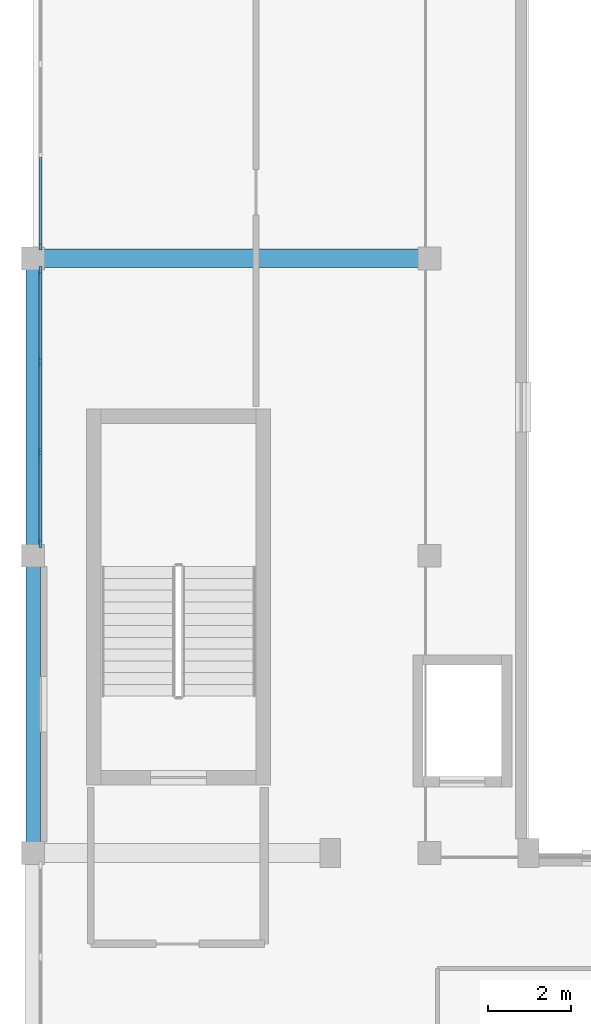
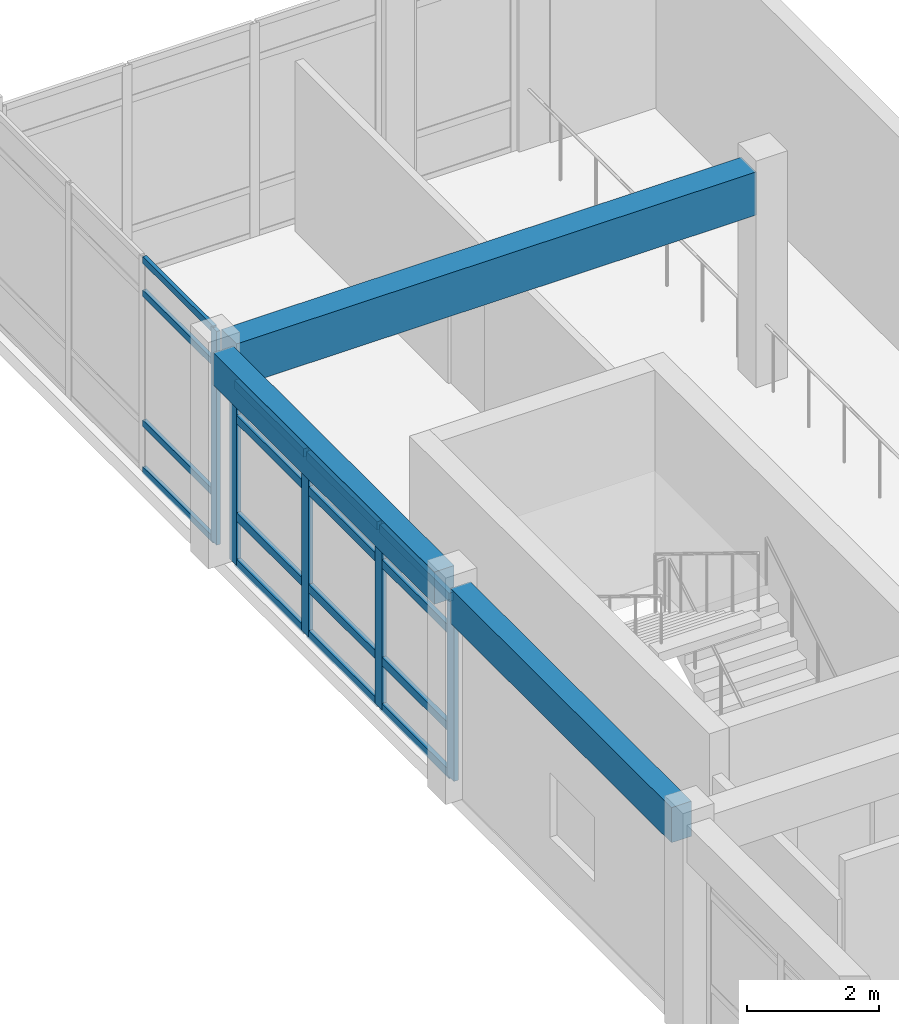
# One storey, part 8 of 47: 21 members, 3 beams, 2 elements without a shape of their own.
"""IFC4 building model written with IfcOpenShell, lengths in metres."""

from ifc_helpers import new_model, si_unit, direction, frame, origin, origin_2d, place, context, subcontext, project, spatial, rectangle, extrude, material, layer, layer_set, material_profile, profile_set, type_object, element, aggregate, save


model = new_model("IFC4")

# Units and contexts
model_context = context("Model", 3, precision=1e-05, world=origin(), true_north=direction((0.0, 1.0)))
body_context = subcontext(model_context, "Body", "Model", "MODEL_VIEW")
ifc_project = project(units=[si_unit("LENGTHUNIT", "METRE"), si_unit("AREAUNIT", "SQUARE_METRE"), si_unit("VOLUMEUNIT", "CUBIC_METRE"), si_unit("PLANEANGLEUNIT", "RADIAN"), si_unit("MASSUNIT", "GRAM", prefix="KILO")], contexts=[model_context])

# Site, building, storey
site_placement = place(None, origin())
site = spatial("IfcSite", under=ifc_project, at=site_placement, CompositionType="ELEMENT")
building_placement = place(site_placement, origin())
building = spatial("IfcBuilding", under=site, at=building_placement, Name="Brisavento Harbour Community Centre", CompositionType="ELEMENT")
storey_placement = place(building_placement, frame((0.0, 0.0, 8.699951171875)))
storey = spatial("IfcBuildingStorey", under=building, at=storey_placement, Name="L02", CompositionType="ELEMENT", Elevation=8.699951171875)

# Beams
ifc_material_1 = material(Name="Concrete C35/45", Category="concrete")
ifc_material_profile_1 = material_profile(ifc_material_1, rectangle(XDim=0.35009765625, YDim=0.60009765625, at=origin_2d()), Name="Concrete C35/45")
ifc_profile_set_1 = profile_set([ifc_material_profile_1], Name="Concrete C35/45")
beam_type_1 = type_object("IfcBeamType", Name="BM-RC-350x600", PredefinedType="BEAM", material=ifc_profile_set_1)
beam_1_placement = place(storey_placement, frame((0.0, 21.844970703125, 3.66015625), z_axis=(0.0, 1.0, 0.0), x_axis=(-1.0, 0.0, 0.0)))
element("IfcBeam", 1, at=beam_1_placement, inside=storey, type_object=beam_type_1, Name="L02 primary girder Y0594", PredefinedType="BEAM", context=body_context, shape_type="SweptSolid", body=[
    extrude(rectangle(XDim=0.35009765625, YDim=0.60009765625, at=origin_2d()), origin(), (0.0, 0.0, 1.0), 6.7099609375),
])
ifc_material_profile_2 = material_profile(ifc_material_1, rectangle(XDim=0.35009765625, YDim=0.64990234375, at=origin_2d()), Name="Concrete C35/45")
ifc_profile_set_2 = profile_set([ifc_material_profile_2], Name="Concrete C35/45")
beam_type_2 = type_object("IfcBeamType", Name="BM-RC-350x650", PredefinedType="BEAM", material=ifc_profile_set_2)
beam_2_placement = place(storey_placement, frame((0.0, 14.64501953125, 3.635009765625), z_axis=(0.0, 1.0, 0.0), x_axis=(-1.0, 0.0, 0.0)))
element("IfcBeam", 2, at=beam_2_placement, inside=storey, type_object=beam_type_2, Name="L02 primary girder Y0593", PredefinedType="BEAM", context=body_context, shape_type="SweptSolid", body=[
    extrude(rectangle(XDim=0.35009765625, YDim=0.64990234375, at=origin_2d()), origin(), (0.0, 0.0, 1.0), 6.7099609375),
])
ifc_material_profile_3 = material_profile(ifc_material_1, rectangle(XDim=0.449951171875, YDim=0.800048828125, at=origin_2d()), Name="Concrete C35/45")
ifc_profile_set_3 = profile_set([ifc_material_profile_3], Name="Concrete C35/45")
beam_type_3 = type_object("IfcBeamType", Name="BM-RC-450x800", PredefinedType="BEAM", material=ifc_profile_set_3)
beam_3_placement = place(storey_placement, frame((0.2451171875, 28.800048828125, 3.56005859375), z_axis=(1.0, 0.0, 0.0), x_axis=(0.0, 1.0, 0.0)))
element("IfcBeam", 3, at=beam_3_placement, inside=storey, type_object=beam_type_3, Name="L02 primary girder X0570", PredefinedType="BEAM", context=body_context, shape_type="SweptSolid", body=[
    extrude(rectangle(XDim=0.449951171875, YDim=0.800048828125, at=origin_2d()), origin(), (0.0, 0.0, 1.0), 9.10986328125),
])

# Curtain wall, member
ifc_material_2 = material(Name="Marine-anodised aluminium AW-6063-T6", Category="aluminium")
ifc_layer_1 = layer(ifc_material_2, 0.179931640625, Name="Marine-anodised aluminium AW-6063-T6")
ifc_layer_set_1 = layer_set([ifc_layer_1], Name="Marine-anodised aluminium AW-6063-T6")
curtain_wall_type_1 = type_object("IfcCurtainWallType", Name="CW-SYS-05", PredefinedType="USERDEFINED", material=ifc_layer_set_1)
curtain_wall_1_placement = place(storey_placement, origin())
curtain_wall_1 = element("IfcCurtainWall", 4, at=curtain_wall_1_placement, inside=storey, type_object=curtain_wall_type_1, Name="L02 V1 unitised curtain wall 117", ObjectType="UNITISED CURTAIN WALL", PredefinedType="USERDEFINED")
ifc_material_profile_4 = material_profile(ifc_material_2, rectangle(XDim=0.06494140625, YDim=0.1650390625, at=origin_2d()), Name="Marine-anodised aluminium AW-6063-T6")
ifc_profile_set_4 = profile_set([ifc_material_profile_4], Name="Marine-anodised aluminium AW-6063-T6")
member_type_1 = type_object("IfcMemberType", Name="CWM-01", PredefinedType="MULLION", material=ifc_profile_set_4)
member_1_placement = place(storey_placement, frame((0.179931640625, 29.092529296875, 0.0), z_axis=(0.0, 0.0, 1.0), x_axis=(-1.0, 0.0, 0.0)))
member_1 = element("IfcMember", 5, at=member_1_placement, type_object=member_type_1, Name="CW-05 mullion 1", PredefinedType="MULLION", context=body_context, shape_type="SweptSolid", body=[
    extrude(rectangle(XDim=0.06494140625, YDim=0.1650390625, at=origin_2d()), origin(), (0.0, 0.0, 1.0), 3.9599609375),
])

# Curtain wall, members
ifc_layer_2 = layer(ifc_material_2, 0.179931640625, Name="Marine-anodised aluminium AW-6063-T6")
ifc_layer_set_2 = layer_set([ifc_layer_2], Name="Marine-anodised aluminium AW-6063-T6")
curtain_wall_type_2 = type_object("IfcCurtainWallType", Name="CW-SYS-04", PredefinedType="USERDEFINED", material=ifc_layer_set_2)
curtain_wall_2_placement = place(storey_placement, origin())
curtain_wall_2 = element("IfcCurtainWall", 6, at=curtain_wall_2_placement, inside=storey, type_object=curtain_wall_type_2, Name="L02 V1 unitised curtain wall 116", ObjectType="UNITISED CURTAIN WALL", PredefinedType="USERDEFINED")
ifc_material_profile_5 = material_profile(ifc_material_2, rectangle(XDim=0.080078125, YDim=0.2099609375, at=origin_2d()), Name="Marine-anodised aluminium AW-6063-T6")
ifc_profile_set_5 = profile_set([ifc_material_profile_5], Name="Marine-anodised aluminium AW-6063-T6")
member_type_2 = type_object("IfcMemberType", Name="CWM-04", PredefinedType="MULLION", material=ifc_profile_set_5)
member_2_placement = place(storey_placement, frame((0.179931640625, 21.89990234375, 0.0), z_axis=(0.0, 0.0, 1.0), x_axis=(-1.0, 0.0, 0.0)))
member_2 = element("IfcMember", 7, at=member_2_placement, type_object=member_type_2, Name="CW-04 mullion 1", PredefinedType="MULLION", context=body_context, shape_type="SweptSolid", body=[
    extrude(rectangle(XDim=0.080078125, YDim=0.2099609375, at=origin_2d()), origin(), (0.0, 0.0, 1.0), 3.360107421875),
])
member_3_placement = place(storey_placement, frame((0.179931640625, 24.086669921875, 0.0), z_axis=(0.0, 0.0, 1.0), x_axis=(-1.0, 0.0, 0.0)))
member_3 = element("IfcMember", 8, at=member_3_placement, type_object=member_type_2, Name="CW-04 mullion 2", PredefinedType="MULLION", context=body_context, shape_type="SweptSolid", body=[
    extrude(rectangle(XDim=0.080078125, YDim=0.2099609375, at=origin_2d()), origin(), (0.0, 0.0, 1.0), 3.360107421875),
])
member_4_placement = place(storey_placement, frame((0.179931640625, 26.313232421875, 0.0), z_axis=(0.0, 0.0, 1.0), x_axis=(-1.0, 0.0, 0.0)))
member_4 = element("IfcMember", 9, at=member_4_placement, type_object=member_type_2, Name="CW-04 mullion 3", PredefinedType="MULLION", context=body_context, shape_type="SweptSolid", body=[
    extrude(rectangle(XDim=0.080078125, YDim=0.2099609375, at=origin_2d()), origin(), (0.0, 0.0, 1.0), 3.360107421875),
])
member_5_placement = place(storey_placement, frame((0.179931640625, 28.5, 0.0), z_axis=(0.0, 0.0, 1.0), x_axis=(-1.0, 0.0, 0.0)))
member_5 = element("IfcMember", 10, at=member_5_placement, type_object=member_type_2, Name="CW-04 mullion 4", PredefinedType="MULLION", context=body_context, shape_type="SweptSolid", body=[
    extrude(rectangle(XDim=0.080078125, YDim=0.2099609375, at=origin_2d()), origin(), (0.0, 0.0, 1.0), 3.360107421875),
])

# Member
ifc_material_profile_6 = material_profile(ifc_material_2, rectangle(XDim=0.06494140625, YDim=0.125, at=origin_2d()), Name="Marine-anodised aluminium AW-6063-T6")
ifc_profile_set_6 = profile_set([ifc_material_profile_6], Name="Marine-anodised aluminium AW-6063-T6")
member_type_3 = type_object("IfcMemberType", Name="CWT-01", PredefinedType="USERDEFINED", material=ifc_profile_set_6)
member_6_placement = place(storey_placement, frame((0.179931640625, 29.125, 0.032470703125), z_axis=(0.0, 1.0, 0.0), x_axis=(-1.0, 0.0, 0.0)))
member_6 = element("IfcMember", 11, at=member_6_placement, type_object=member_type_3, Name="CW-05 transom 1.1", ObjectType="TRANSOM", PredefinedType="USERDEFINED", context=body_context, shape_type="SweptSolid", body=[
    extrude(rectangle(XDim=0.06494140625, YDim=0.125, at=origin_2d()), origin(), (0.0, 0.0, 1.0), 2.129150390625),
])

member_7_placement = place(storey_placement, frame((0.179931640625, 29.125, 0.900146484375), z_axis=(0.0, 1.0, 0.0), x_axis=(-1.0, 0.0, 0.0)))
member_7 = element("IfcMember", 12, at=member_7_placement, type_object=member_type_3, Name="CW-05 transom 1.2", ObjectType="TRANSOM", PredefinedType="USERDEFINED", context=body_context, shape_type="SweptSolid", body=[
    extrude(rectangle(XDim=0.06494140625, YDim=0.125, at=origin_2d()), origin(), (0.0, 0.0, 1.0), 2.129150390625),
])

member_8_placement = place(storey_placement, frame((0.179931640625, 29.125, 3.31005859375), z_axis=(0.0, 1.0, 0.0), x_axis=(-1.0, 0.0, 0.0)))
member_8 = element("IfcMember", 13, at=member_8_placement, type_object=member_type_3, Name="CW-05 transom 1.3", ObjectType="TRANSOM", PredefinedType="USERDEFINED", context=body_context, shape_type="SweptSolid", body=[
    extrude(rectangle(XDim=0.06494140625, YDim=0.125, at=origin_2d()), origin(), (0.0, 0.0, 1.0), 2.129150390625),
])

member_9_placement = place(storey_placement, frame((0.179931640625, 29.125, 3.927490234375), z_axis=(0.0, 1.0, 0.0), x_axis=(-1.0, 0.0, 0.0)))
member_9 = element("IfcMember", 14, at=member_9_placement, type_object=member_type_3, Name="CW-05 transom 1.4", ObjectType="TRANSOM", PredefinedType="USERDEFINED", context=body_context, shape_type="SweptSolid", body=[
    extrude(rectangle(XDim=0.06494140625, YDim=0.125, at=origin_2d()), origin(), (0.0, 0.0, 1.0), 2.129150390625),
])

aggregate(curtain_wall_1, [member_1, member_6, member_7, member_8, member_9])

ifc_material_profile_7 = material_profile(ifc_material_2, rectangle(XDim=0.080078125, YDim=0.155029296875, at=origin_2d()), Name="Marine-anodised aluminium AW-6063-T6")
ifc_profile_set_7 = profile_set([ifc_material_profile_7], Name="Marine-anodised aluminium AW-6063-T6")
member_type_4 = type_object("IfcMemberType", Name="CWT-04", PredefinedType="USERDEFINED", material=ifc_profile_set_7)
member_10_placement = place(storey_placement, frame((0.179931640625, 21.93994140625, 0.0400390625), z_axis=(0.0, 1.0, 0.0), x_axis=(-1.0, 0.0, 0.0)))
member_10 = element("IfcMember", 15, at=member_10_placement, type_object=member_type_4, Name="CW-04 transom 1.1", ObjectType="TRANSOM", PredefinedType="USERDEFINED", context=body_context, shape_type="SweptSolid", body=[
    extrude(rectangle(XDim=0.080078125, YDim=0.155029296875, at=origin_2d()), origin(), (0.0, 0.0, 1.0), 2.106689453125),
])

member_11_placement = place(storey_placement, frame((0.179931640625, 21.93994140625, 0.900146484375), z_axis=(0.0, 1.0, 0.0), x_axis=(-1.0, 0.0, 0.0)))
member_11 = element("IfcMember", 16, at=member_11_placement, type_object=member_type_4, Name="CW-04 transom 1.2", ObjectType="TRANSOM", PredefinedType="USERDEFINED", context=body_context, shape_type="SweptSolid", body=[
    extrude(rectangle(XDim=0.080078125, YDim=0.155029296875, at=origin_2d()), origin(), (0.0, 0.0, 1.0), 2.106689453125),
])

member_12_placement = place(storey_placement, frame((0.179931640625, 21.93994140625, 2.7099609375), z_axis=(0.0, 1.0, 0.0), x_axis=(-1.0, 0.0, 0.0)))
member_12 = element("IfcMember", 17, at=member_12_placement, type_object=member_type_4, Name="CW-04 transom 1.3", ObjectType="TRANSOM", PredefinedType="USERDEFINED", context=body_context, shape_type="SweptSolid", body=[
    extrude(rectangle(XDim=0.080078125, YDim=0.155029296875, at=origin_2d()), origin(), (0.0, 0.0, 1.0), 2.106689453125),
])

member_13_placement = place(storey_placement, frame((0.179931640625, 21.93994140625, 3.320068359375), z_axis=(0.0, 1.0, 0.0), x_axis=(-1.0, 0.0, 0.0)))
member_13 = element("IfcMember", 18, at=member_13_placement, type_object=member_type_4, Name="CW-04 transom 1.4", ObjectType="TRANSOM", PredefinedType="USERDEFINED", context=body_context, shape_type="SweptSolid", body=[
    extrude(rectangle(XDim=0.080078125, YDim=0.155029296875, at=origin_2d()), origin(), (0.0, 0.0, 1.0), 2.106689453125),
])

member_14_placement = place(storey_placement, frame((0.179931640625, 24.126708984375, 0.0400390625), z_axis=(0.0, 1.0, 0.0), x_axis=(-1.0, 0.0, 0.0)))
member_14 = element("IfcMember", 19, at=member_14_placement, type_object=member_type_4, Name="CW-04 transom 2.1", ObjectType="TRANSOM", PredefinedType="USERDEFINED", context=body_context, shape_type="SweptSolid", body=[
    extrude(rectangle(XDim=0.080078125, YDim=0.155029296875, at=origin_2d()), origin(), (0.0, 0.0, 1.0), 2.146728515625),
])

member_15_placement = place(storey_placement, frame((0.179931640625, 24.126708984375, 0.900146484375), z_axis=(0.0, 1.0, 0.0), x_axis=(-1.0, 0.0, 0.0)))
member_15 = element("IfcMember", 20, at=member_15_placement, type_object=member_type_4, Name="CW-04 transom 2.2", ObjectType="TRANSOM", PredefinedType="USERDEFINED", context=body_context, shape_type="SweptSolid", body=[
    extrude(rectangle(XDim=0.080078125, YDim=0.155029296875, at=origin_2d()), origin(), (0.0, 0.0, 1.0), 2.146728515625),
])

member_16_placement = place(storey_placement, frame((0.179931640625, 24.126708984375, 2.7099609375), z_axis=(0.0, 1.0, 0.0), x_axis=(-1.0, 0.0, 0.0)))
member_16 = element("IfcMember", 21, at=member_16_placement, type_object=member_type_4, Name="CW-04 transom 2.3", ObjectType="TRANSOM", PredefinedType="USERDEFINED", context=body_context, shape_type="SweptSolid", body=[
    extrude(rectangle(XDim=0.080078125, YDim=0.155029296875, at=origin_2d()), origin(), (0.0, 0.0, 1.0), 2.146728515625),
])

member_17_placement = place(storey_placement, frame((0.179931640625, 24.126708984375, 3.320068359375), z_axis=(0.0, 1.0, 0.0), x_axis=(-1.0, 0.0, 0.0)))
member_17 = element("IfcMember", 22, at=member_17_placement, type_object=member_type_4, Name="CW-04 transom 2.4", ObjectType="TRANSOM", PredefinedType="USERDEFINED", context=body_context, shape_type="SweptSolid", body=[
    extrude(rectangle(XDim=0.080078125, YDim=0.155029296875, at=origin_2d()), origin(), (0.0, 0.0, 1.0), 2.146728515625),
])

member_18_placement = place(storey_placement, frame((0.179931640625, 26.353271484375, 0.0400390625), z_axis=(0.0, 1.0, 0.0), x_axis=(-1.0, 0.0, 0.0)))
member_18 = element("IfcMember", 23, at=member_18_placement, type_object=member_type_4, Name="CW-04 transom 3.1", ObjectType="TRANSOM", PredefinedType="USERDEFINED", context=body_context, shape_type="SweptSolid", body=[
    extrude(rectangle(XDim=0.080078125, YDim=0.155029296875, at=origin_2d()), origin(), (0.0, 0.0, 1.0), 2.106689453125),
])

member_19_placement = place(storey_placement, frame((0.179931640625, 26.353271484375, 0.900146484375), z_axis=(0.0, 1.0, 0.0), x_axis=(-1.0, 0.0, 0.0)))
member_19 = element("IfcMember", 24, at=member_19_placement, type_object=member_type_4, Name="CW-04 transom 3.2", ObjectType="TRANSOM", PredefinedType="USERDEFINED", context=body_context, shape_type="SweptSolid", body=[
    extrude(rectangle(XDim=0.080078125, YDim=0.155029296875, at=origin_2d()), origin(), (0.0, 0.0, 1.0), 2.106689453125),
])

member_20_placement = place(storey_placement, frame((0.179931640625, 26.353271484375, 2.7099609375), z_axis=(0.0, 1.0, 0.0), x_axis=(-1.0, 0.0, 0.0)))
member_20 = element("IfcMember", 25, at=member_20_placement, type_object=member_type_4, Name="CW-04 transom 3.3", ObjectType="TRANSOM", PredefinedType="USERDEFINED", context=body_context, shape_type="SweptSolid", body=[
    extrude(rectangle(XDim=0.080078125, YDim=0.155029296875, at=origin_2d()), origin(), (0.0, 0.0, 1.0), 2.106689453125),
])

member_21_placement = place(storey_placement, frame((0.179931640625, 26.353271484375, 3.320068359375), z_axis=(0.0, 1.0, 0.0), x_axis=(-1.0, 0.0, 0.0)))
member_21 = element("IfcMember", 26, at=member_21_placement, type_object=member_type_4, Name="CW-04 transom 3.4", ObjectType="TRANSOM", PredefinedType="USERDEFINED", context=body_context, shape_type="SweptSolid", body=[
    extrude(rectangle(XDim=0.080078125, YDim=0.155029296875, at=origin_2d()), origin(), (0.0, 0.0, 1.0), 2.106689453125),
])

aggregate(curtain_wall_2, [member_2, member_3, member_4, member_5, member_10, member_11, member_12, member_13, member_14, member_15, member_16, member_17, member_18, member_19, member_20, member_21])

save(model, "model.ifc")
